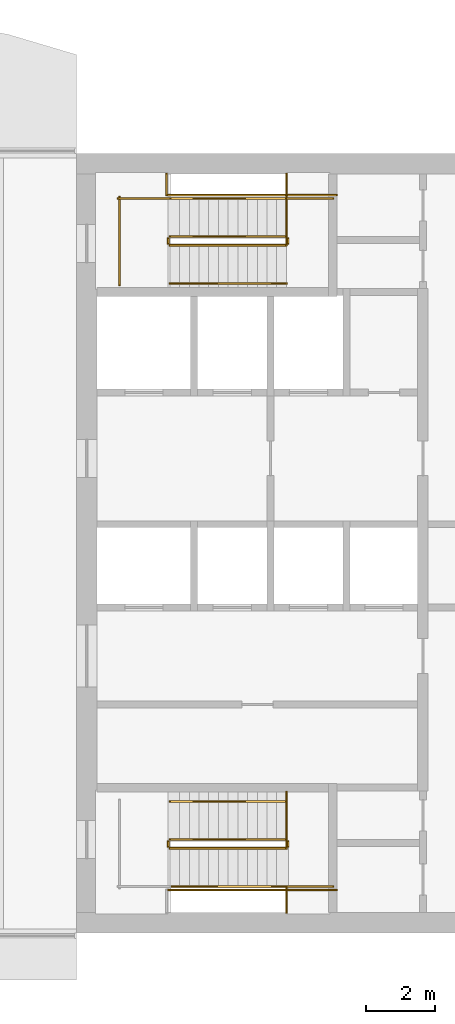
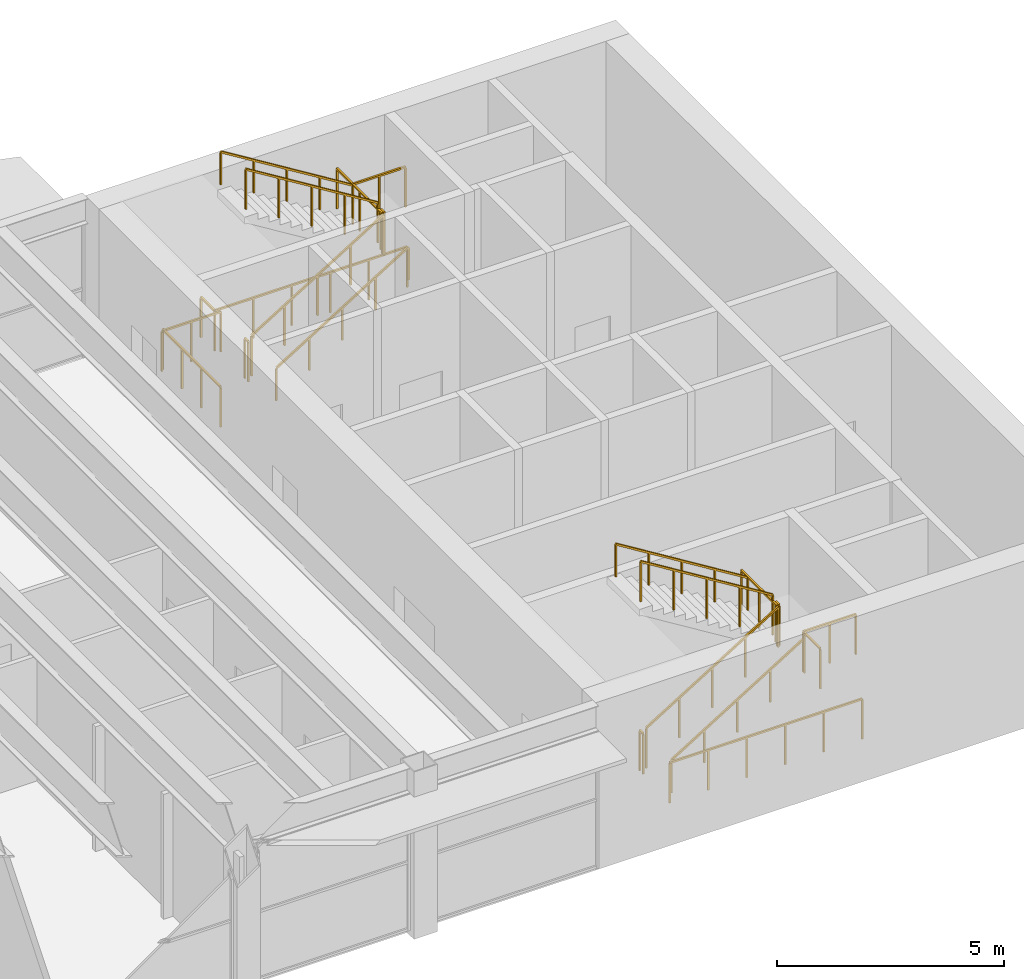
# One storey, part 14 of 14: 22 railings.
"""IFC4 building model written with IfcOpenShell, lengths in metres."""

from ifc_helpers import new_model, si_unit, direction, frame, origin, origin_2d, place, context, subcontext, project, spatial, rectangle, extrude, material, type_object, element, save


model = new_model("IFC4")

# Units and contexts
model_context = context("Model", 3, precision=1e-05, world=origin(), true_north=direction((0.0, 1.0)))
body_context = subcontext(model_context, "Body", "Model", "MODEL_VIEW")
ifc_project = project(units=[si_unit("LENGTHUNIT", "METRE"), si_unit("AREAUNIT", "SQUARE_METRE"), si_unit("VOLUMEUNIT", "CUBIC_METRE"), si_unit("PLANEANGLEUNIT", "RADIAN"), si_unit("MASSUNIT", "GRAM", prefix="KILO")], contexts=[model_context])

# Site, building, storey
site_placement = place(None, origin())
site = spatial("IfcSite", under=ifc_project, at=site_placement, CompositionType="ELEMENT")
building_placement = place(site_placement, origin())
building = spatial("IfcBuilding", under=site, at=building_placement, Name="Sennacour Bend Tower", CompositionType="ELEMENT")
storey_placement = place(building_placement, frame((0.0, 0.0, 327.5)))
storey = spatial("IfcBuildingStorey", under=building, at=storey_placement, Name="L75", CompositionType="ELEMENT", Elevation=327.5)

# Railings
ifc_material = material(Name="Stainless steel", Category="steel")
railing_type_1 = type_object("IfcRailingType", Name="RL-GUARD-1100", PredefinedType="GUARDRAIL", material=ifc_material)
railing_1_placement = place(storey_placement, frame((56.699951171875, 2.449951171875, 0.173095703125)))
element("IfcRailing", 1, at=railing_1_placement, inside=storey, type_object=railing_type_1, Name="L75 SA1 stair guard 1", PredefinedType="GUARDRAIL", context=body_context, shape_type="SweptSolid", body=[
    extrude(rectangle(XDim=0.048095703125, YDim=0.048095703125, at=origin_2d()), frame((0.0, 0.0, 1.076171875), z_axis=(0.850623216509, 0.0, 0.525775754039), x_axis=(0.0, 1.0, 0.0)), (0.0, 0.0, 1.0), 3.9501953125),
    extrude(rectangle(XDim=0.0419921875, YDim=0.0419921875, at=origin_2d()), origin(), (0.0, 0.0, 1.0), 1.052001953125),
    extrude(rectangle(XDim=0.0419921875, YDim=0.0419921875, at=origin_2d()), frame((0.840087890625, 0.0, 0.519287109375)), (0.0, 0.0, 1.0), 1.052001953125),
    extrude(rectangle(XDim=0.0419921875, YDim=0.0419921875, at=origin_2d()), frame((1.68017578125, 0.0, 1.03857421875)), (0.0, 0.0, 1.0), 1.052001953125),
    extrude(rectangle(XDim=0.0419921875, YDim=0.0419921875, at=origin_2d()), frame((2.52001953125, 0.0, 1.5576171875)), (0.0, 0.0, 1.0), 1.052001953125),
    extrude(rectangle(XDim=0.0419921875, YDim=0.0419921875, at=origin_2d()), frame((3.360107421875, 0.0, 2.076904296875)), (0.0, 0.0, 1.0), 1.052001953125),
])
railing_2_placement = place(storey_placement, frame((60.110107421875, 2.5, 2.25)))
element("IfcRailing", 2, at=railing_2_placement, inside=storey, type_object=railing_type_1, Name="L75 SA1 stair guard 2", PredefinedType="GUARDRAIL", context=body_context, shape_type="SweptSolid", body=[
    extrude(rectangle(XDim=0.048095703125, YDim=0.048095703125, at=origin_2d()), frame((0.0, 0.0, 1.076171875), z_axis=(0.0, 1.0, 0.0), x_axis=(-1.0, 0.0, 0.0)), (0.0, 0.0, 1.0), 0.14990234375),
    extrude(rectangle(XDim=0.0419921875, YDim=0.0419921875, at=origin_2d()), origin(), (0.0, 0.0, 1.0), 1.052001953125),
    extrude(rectangle(XDim=0.0419921875, YDim=0.0419921875, at=origin_2d()), frame((0.0, 0.14990234375, 0.0)), (0.0, 0.0, 1.0), 1.052001953125),
])
railing_3_placement = place(storey_placement, frame((60.06005859375, 1.35009765625, 2.25)))
element("IfcRailing", 3, at=railing_3_placement, inside=storey, type_object=railing_type_1, Name="L75 SA1 stair guard 3", PredefinedType="GUARDRAIL", context=body_context, shape_type="SweptSolid", body=[
    extrude(rectangle(XDim=0.048095703125, YDim=0.048095703125, at=origin_2d()), frame((0.0, 0.0, 1.076171875), z_axis=(1.0, 0.0, 0.0), x_axis=(0.0, 1.0, 0.0)), (0.0, 0.0, 1.0), 1.33984375),
    extrude(rectangle(XDim=0.0419921875, YDim=0.0419921875, at=origin_2d()), origin(), (0.0, 0.0, 1.0), 1.052001953125),
    extrude(rectangle(XDim=0.0419921875, YDim=0.0419921875, at=origin_2d()), frame((0.669921875, 0.0, 0.0)), (0.0, 0.0, 1.0), 1.052001953125),
    extrude(rectangle(XDim=0.0419921875, YDim=0.0419921875, at=origin_2d()), frame((1.33984375, 0.0, 0.0)), (0.0, 0.0, 1.0), 1.052001953125),
])
railing_4_placement = place(storey_placement, frame((60.06005859375, 2.699951171875, 2.423095703125)))
element("IfcRailing", 4, at=railing_4_placement, inside=storey, type_object=railing_type_1, Name="L75 SA1 stair guard 4", PredefinedType="GUARDRAIL", context=body_context, shape_type="SweptSolid", body=[
    extrude(rectangle(XDim=0.048095703125, YDim=0.048095703125, at=origin_2d()), frame((0.0, 0.0, 1.076171875), z_axis=(-0.850623216509, 0.0, 0.525775754039), x_axis=(0.0, -1.0, 0.0)), (0.0, 0.0, 1.0), 3.9501953125),
    extrude(rectangle(XDim=0.0419921875, YDim=0.0419921875, at=origin_2d()), origin(), (0.0, 0.0, 1.0), 1.052001953125),
    extrude(rectangle(XDim=0.0419921875, YDim=0.0419921875, at=origin_2d()), frame((-0.840087890625, 0.0, 0.519287109375)), (0.0, 0.0, 1.0), 1.052001953125),
    extrude(rectangle(XDim=0.0419921875, YDim=0.0419921875, at=origin_2d()), frame((-1.68017578125, 0.0, 1.03857421875)), (0.0, 0.0, 1.0), 1.052001953125),
    extrude(rectangle(XDim=0.0419921875, YDim=0.0419921875, at=origin_2d()), frame((-2.52001953125, 0.0, 1.5576171875)), (0.0, 0.0, 1.0), 1.052001953125),
    extrude(rectangle(XDim=0.0419921875, YDim=0.0419921875, at=origin_2d()), frame((-3.360107421875, 0.0, 2.076904296875)), (0.0, 0.0, 1.0), 1.052001953125),
])
railing_5_placement = place(storey_placement, frame((56.64990234375, 2.5, 0.0)))
element("IfcRailing", 5, at=railing_5_placement, inside=storey, type_object=railing_type_1, Name="L75 SA1 stair guard 5", PredefinedType="GUARDRAIL", context=body_context, shape_type="SweptSolid", body=[
    extrude(rectangle(XDim=0.048095703125, YDim=0.048095703125, at=origin_2d()), frame((0.0, 0.0, 1.076171875), z_axis=(0.0, 1.0, 0.0), x_axis=(-1.0, 0.0, 0.0)), (0.0, 0.0, 1.0), 0.14990234375),
    extrude(rectangle(XDim=0.0419921875, YDim=0.0419921875, at=origin_2d()), origin(), (0.0, 0.0, 1.0), 1.052001953125),
    extrude(rectangle(XDim=0.0419921875, YDim=0.0419921875, at=origin_2d()), frame((0.0, 0.14990234375, 0.0)), (0.0, 0.0, 1.0), 1.052001953125),
])
railing_6_placement = place(storey_placement, frame((56.60009765625, 1.25, 0.0)))
element("IfcRailing", 6, at=railing_6_placement, inside=storey, type_object=railing_type_1, Name="L75 SA1 stair guard 8", PredefinedType="GUARDRAIL", context=body_context, shape_type="SweptSolid", body=[
    extrude(rectangle(XDim=0.048095703125, YDim=0.048095703125, at=origin_2d()), frame((0.0, 0.0, 1.076171875), z_axis=(1.0, 0.0, 0.0), x_axis=(0.0, 1.0, 0.0)), (0.0, 0.0, 1.0), 4.89990234375),
    extrude(rectangle(XDim=0.0419921875, YDim=0.0419921875, at=origin_2d()), origin(), (0.0, 0.0, 1.0), 1.052001953125),
    extrude(rectangle(XDim=0.0419921875, YDim=0.0419921875, at=origin_2d()), frame((0.97998046875, 0.0, 0.0)), (0.0, 0.0, 1.0), 1.052001953125),
    extrude(rectangle(XDim=0.0419921875, YDim=0.0419921875, at=origin_2d()), frame((1.9599609375, 0.0, 0.0)), (0.0, 0.0, 1.0), 1.052001953125),
    extrude(rectangle(XDim=0.0419921875, YDim=0.0419921875, at=origin_2d()), frame((2.93994140625, 0.0, 0.0)), (0.0, 0.0, 1.0), 1.052001953125),
    extrude(rectangle(XDim=0.0419921875, YDim=0.0419921875, at=origin_2d()), frame((3.919921875, 0.0, 0.0)), (0.0, 0.0, 1.0), 1.052001953125),
    extrude(rectangle(XDim=0.0419921875, YDim=0.0419921875, at=origin_2d()), frame((4.89990234375, 0.0, 0.0)), (0.0, 0.0, 1.0), 1.052001953125),
])
railing_7_placement = place(storey_placement, frame((60.06005859375, 0.60009765625, 2.25)))
element("IfcRailing", 7, at=railing_7_placement, inside=storey, type_object=railing_type_1, Name="L75 SA1 landing edge guard 123", PredefinedType="GUARDRAIL", context=body_context, shape_type="SweptSolid", body=[
    extrude(rectangle(XDim=0.048095703125, YDim=0.048095703125, at=origin_2d()), frame((0.0, 0.0, 1.076171875), z_axis=(0.0, 1.0, 0.0), x_axis=(-1.0, 0.0, 0.0)), (0.0, 0.0, 1.0), 0.699951171875),
    extrude(rectangle(XDim=0.0419921875, YDim=0.0419921875, at=origin_2d()), origin(), (0.0, 0.0, 1.0), 1.052001953125),
    extrude(rectangle(XDim=0.0419921875, YDim=0.0419921875, at=origin_2d()), frame((0.0, 0.699951171875, 0.0)), (0.0, 0.0, 1.0), 1.052001953125),
])
railing_8_placement = place(storey_placement, frame((60.06005859375, 2.5, 2.25)))
element("IfcRailing", 8, at=railing_8_placement, inside=storey, type_object=railing_type_1, Name="L75 SA1 landing edge guard 124", PredefinedType="GUARDRAIL", context=body_context, shape_type="SweptSolid", body=[
    extrude(rectangle(XDim=0.048095703125, YDim=0.048095703125, at=origin_2d()), frame((0.0, 0.0, 1.076171875), z_axis=(0.0, 1.0, 0.0), x_axis=(-1.0, 0.0, 0.0)), (0.0, 0.0, 1.0), 1.574951171875),
    extrude(rectangle(XDim=0.0419921875, YDim=0.0419921875, at=origin_2d()), origin(), (0.0, 0.0, 1.0), 1.052001953125),
    extrude(rectangle(XDim=0.0419921875, YDim=0.0419921875, at=origin_2d()), frame((0.0, 0.78759765625, 0.0)), (0.0, 0.0, 1.0), 1.052001953125),
    extrude(rectangle(XDim=0.0419921875, YDim=0.0419921875, at=origin_2d()), frame((0.0, 1.574951171875, 0.0)), (0.0, 0.0, 1.0), 1.052001953125),
])
railing_9_placement = place(storey_placement, frame((56.699951171875, 19.85009765625, 0.173095703125)))
element("IfcRailing", 9, at=railing_9_placement, inside=storey, type_object=railing_type_1, Name="L75 SA2 stair guard 1", PredefinedType="GUARDRAIL", context=body_context, shape_type="SweptSolid", body=[
    extrude(rectangle(XDim=0.048095703125, YDim=0.048095703125, at=origin_2d()), frame((0.0, 0.0, 1.076171875), z_axis=(0.850623216509, 0.0, 0.525775754039), x_axis=(0.0, 1.0, 0.0)), (0.0, 0.0, 1.0), 3.9501953125),
    extrude(rectangle(XDim=0.0419921875, YDim=0.0419921875, at=origin_2d()), origin(), (0.0, 0.0, 1.0), 1.052001953125),
    extrude(rectangle(XDim=0.0419921875, YDim=0.0419921875, at=origin_2d()), frame((0.840087890625, 0.0, 0.519287109375)), (0.0, 0.0, 1.0), 1.052001953125),
    extrude(rectangle(XDim=0.0419921875, YDim=0.0419921875, at=origin_2d()), frame((1.68017578125, 0.0, 1.03857421875)), (0.0, 0.0, 1.0), 1.052001953125),
    extrude(rectangle(XDim=0.0419921875, YDim=0.0419921875, at=origin_2d()), frame((2.52001953125, 0.0, 1.5576171875)), (0.0, 0.0, 1.0), 1.052001953125),
    extrude(rectangle(XDim=0.0419921875, YDim=0.0419921875, at=origin_2d()), frame((3.360107421875, 0.0, 2.076904296875)), (0.0, 0.0, 1.0), 1.052001953125),
])
railing_10_placement = place(storey_placement, frame((60.110107421875, 19.89990234375, 2.25)))
element("IfcRailing", 10, at=railing_10_placement, inside=storey, type_object=railing_type_1, Name="L75 SA2 stair guard 2", PredefinedType="GUARDRAIL", context=body_context, shape_type="SweptSolid", body=[
    extrude(rectangle(XDim=0.048095703125, YDim=0.048095703125, at=origin_2d()), frame((0.0, 0.0, 1.076171875), z_axis=(0.0, 1.0, 0.0), x_axis=(-1.0, 0.0, 0.0)), (0.0, 0.0, 1.0), 0.150146484375),
    extrude(rectangle(XDim=0.0419921875, YDim=0.0419921875, at=origin_2d()), origin(), (0.0, 0.0, 1.0), 1.052001953125),
    extrude(rectangle(XDim=0.0419921875, YDim=0.0419921875, at=origin_2d()), frame((0.0, 0.150146484375, 0.0)), (0.0, 0.0, 1.0), 1.052001953125),
])
railing_11_placement = place(storey_placement, frame((60.06005859375, 21.199951171875, 2.25)))
element("IfcRailing", 11, at=railing_11_placement, inside=storey, type_object=railing_type_1, Name="L75 SA2 stair guard 3", PredefinedType="GUARDRAIL", context=body_context, shape_type="SweptSolid", body=[
    extrude(rectangle(XDim=0.048095703125, YDim=0.048095703125, at=origin_2d()), frame((0.0, 0.0, 1.076171875), z_axis=(1.0, 0.0, 0.0), x_axis=(0.0, 1.0, 0.0)), (0.0, 0.0, 1.0), 1.33984375),
    extrude(rectangle(XDim=0.0419921875, YDim=0.0419921875, at=origin_2d()), origin(), (0.0, 0.0, 1.0), 1.052001953125),
    extrude(rectangle(XDim=0.0419921875, YDim=0.0419921875, at=origin_2d()), frame((0.669921875, 0.0, 0.0)), (0.0, 0.0, 1.0), 1.052001953125),
    extrude(rectangle(XDim=0.0419921875, YDim=0.0419921875, at=origin_2d()), frame((1.33984375, 0.0, 0.0)), (0.0, 0.0, 1.0), 1.052001953125),
])
railing_12_placement = place(storey_placement, frame((60.06005859375, 20.10009765625, 2.423095703125)))
element("IfcRailing", 12, at=railing_12_placement, inside=storey, type_object=railing_type_1, Name="L75 SA2 stair guard 4", PredefinedType="GUARDRAIL", context=body_context, shape_type="SweptSolid", body=[
    extrude(rectangle(XDim=0.048095703125, YDim=0.048095703125, at=origin_2d()), frame((0.0, 0.0, 1.076171875), z_axis=(-0.850623216509, 0.0, 0.525775754039), x_axis=(0.0, -1.0, 0.0)), (0.0, 0.0, 1.0), 3.9501953125),
    extrude(rectangle(XDim=0.0419921875, YDim=0.0419921875, at=origin_2d()), origin(), (0.0, 0.0, 1.0), 1.052001953125),
    extrude(rectangle(XDim=0.0419921875, YDim=0.0419921875, at=origin_2d()), frame((-0.840087890625, 0.0, 0.519287109375)), (0.0, 0.0, 1.0), 1.052001953125),
    extrude(rectangle(XDim=0.0419921875, YDim=0.0419921875, at=origin_2d()), frame((-1.68017578125, 0.0, 1.03857421875)), (0.0, 0.0, 1.0), 1.052001953125),
    extrude(rectangle(XDim=0.0419921875, YDim=0.0419921875, at=origin_2d()), frame((-2.52001953125, 0.0, 1.5576171875)), (0.0, 0.0, 1.0), 1.052001953125),
    extrude(rectangle(XDim=0.0419921875, YDim=0.0419921875, at=origin_2d()), frame((-3.360107421875, 0.0, 2.076904296875)), (0.0, 0.0, 1.0), 1.052001953125),
])
railing_13_placement = place(storey_placement, frame((56.64990234375, 19.89990234375, 0.0)))
element("IfcRailing", 13, at=railing_13_placement, inside=storey, type_object=railing_type_1, Name="L75 SA2 stair guard 5", PredefinedType="GUARDRAIL", context=body_context, shape_type="SweptSolid", body=[
    extrude(rectangle(XDim=0.048095703125, YDim=0.048095703125, at=origin_2d()), frame((0.0, 0.0, 1.076171875), z_axis=(0.0, 1.0, 0.0), x_axis=(-1.0, 0.0, 0.0)), (0.0, 0.0, 1.0), 0.150146484375),
    extrude(rectangle(XDim=0.0419921875, YDim=0.0419921875, at=origin_2d()), origin(), (0.0, 0.0, 1.0), 1.052001953125),
    extrude(rectangle(XDim=0.0419921875, YDim=0.0419921875, at=origin_2d()), frame((0.0, 0.150146484375, 0.0)), (0.0, 0.0, 1.0), 1.052001953125),
])
railing_14_placement = place(storey_placement, frame((55.199951171875, 21.199951171875, 0.0)))
element("IfcRailing", 14, at=railing_14_placement, inside=storey, type_object=railing_type_1, Name="L75 SA2 stair guard 6", PredefinedType="GUARDRAIL", context=body_context, shape_type="SweptSolid", body=[
    extrude(rectangle(XDim=0.048095703125, YDim=0.048095703125, at=origin_2d()), frame((0.0, 0.0, 1.076171875), z_axis=(1.0, 0.0, 0.0), x_axis=(0.0, 1.0, 0.0)), (0.0, 0.0, 1.0), 1.5),
    extrude(rectangle(XDim=0.0419921875, YDim=0.0419921875, at=origin_2d()), origin(), (0.0, 0.0, 1.0), 1.052001953125),
    extrude(rectangle(XDim=0.0419921875, YDim=0.0419921875, at=origin_2d()), frame((0.75, 0.0, 0.0)), (0.0, 0.0, 1.0), 1.052001953125),
    extrude(rectangle(XDim=0.0419921875, YDim=0.0419921875, at=origin_2d()), frame((1.5, 0.0, 0.0)), (0.0, 0.0, 1.0), 1.052001953125),
])
railing_15_placement = place(storey_placement, frame((55.25, 18.699951171875, 0.0)))
element("IfcRailing", 15, at=railing_15_placement, inside=storey, type_object=railing_type_1, Name="L75 SA2 stair guard 7", PredefinedType="GUARDRAIL", context=body_context, shape_type="SweptSolid", body=[
    extrude(rectangle(XDim=0.048095703125, YDim=0.048095703125, at=origin_2d()), frame((0.0, 0.0, 1.076171875), z_axis=(0.0, 1.0, 0.0), x_axis=(-1.0, 0.0, 0.0)), (0.0, 0.0, 1.0), 2.550048828125),
    extrude(rectangle(XDim=0.0419921875, YDim=0.0419921875, at=origin_2d()), origin(), (0.0, 0.0, 1.0), 1.052001953125),
    extrude(rectangle(XDim=0.0419921875, YDim=0.0419921875, at=origin_2d()), frame((0.0, 0.85009765625, 0.0)), (0.0, 0.0, 1.0), 1.052001953125),
    extrude(rectangle(XDim=0.0419921875, YDim=0.0419921875, at=origin_2d()), frame((0.0, 1.699951171875, 0.0)), (0.0, 0.0, 1.0), 1.052001953125),
    extrude(rectangle(XDim=0.0419921875, YDim=0.0419921875, at=origin_2d()), frame((0.0, 2.550048828125, 0.0)), (0.0, 0.0, 1.0), 1.052001953125),
])
railing_16_placement = place(storey_placement, frame((56.60009765625, 21.300048828125, 0.0)))
element("IfcRailing", 16, at=railing_16_placement, inside=storey, type_object=railing_type_1, Name="L75 SA2 stair guard 8", PredefinedType="GUARDRAIL", context=body_context, shape_type="SweptSolid", body=[
    extrude(rectangle(XDim=0.048095703125, YDim=0.048095703125, at=origin_2d()), frame((0.0, 0.0, 1.076171875), z_axis=(1.0, 0.0, 0.0), x_axis=(0.0, 1.0, 0.0)), (0.0, 0.0, 1.0), 4.89990234375),
    extrude(rectangle(XDim=0.0419921875, YDim=0.0419921875, at=origin_2d()), origin(), (0.0, 0.0, 1.0), 1.052001953125),
    extrude(rectangle(XDim=0.0419921875, YDim=0.0419921875, at=origin_2d()), frame((0.97998046875, 0.0, 0.0)), (0.0, 0.0, 1.0), 1.052001953125),
    extrude(rectangle(XDim=0.0419921875, YDim=0.0419921875, at=origin_2d()), frame((1.9599609375, 0.0, 0.0)), (0.0, 0.0, 1.0), 1.052001953125),
    extrude(rectangle(XDim=0.0419921875, YDim=0.0419921875, at=origin_2d()), frame((2.93994140625, 0.0, 0.0)), (0.0, 0.0, 1.0), 1.052001953125),
    extrude(rectangle(XDim=0.0419921875, YDim=0.0419921875, at=origin_2d()), frame((3.919921875, 0.0, 0.0)), (0.0, 0.0, 1.0), 1.052001953125),
    extrude(rectangle(XDim=0.0419921875, YDim=0.0419921875, at=origin_2d()), frame((4.89990234375, 0.0, 0.0)), (0.0, 0.0, 1.0), 1.052001953125),
])
railing_17_placement = place(storey_placement, frame((60.06005859375, 19.89990234375, 2.25)))
element("IfcRailing", 17, at=railing_17_placement, inside=storey, type_object=railing_type_1, Name="L75 SA2 landing edge guard 98", PredefinedType="GUARDRAIL", context=body_context, shape_type="SweptSolid", body=[
    extrude(rectangle(XDim=0.048095703125, YDim=0.048095703125, at=origin_2d()), frame((0.0, 0.0, 1.076171875), z_axis=(0.0, 1.0, 0.0), x_axis=(-1.0, 0.0, 0.0)), (0.0, 0.0, 1.0), 2.0),
    extrude(rectangle(XDim=0.0419921875, YDim=0.0419921875, at=origin_2d()), origin(), (0.0, 0.0, 1.0), 1.052001953125),
    extrude(rectangle(XDim=0.0419921875, YDim=0.0419921875, at=origin_2d()), frame((0.0, 1.0, 0.0)), (0.0, 0.0, 1.0), 1.052001953125),
    extrude(rectangle(XDim=0.0419921875, YDim=0.0419921875, at=origin_2d()), frame((0.0, 2.0, 0.0)), (0.0, 0.0, 1.0), 1.052001953125),
])
railing_18_placement = place(storey_placement, frame((56.60009765625, 21.300048828125, 0.0)))
element("IfcRailing", 18, at=railing_18_placement, inside=storey, type_object=railing_type_1, Name="L75 SA2 landing edge guard 129", PredefinedType="GUARDRAIL", context=body_context, shape_type="SweptSolid", body=[
    extrude(rectangle(XDim=0.048095703125, YDim=0.048095703125, at=origin_2d()), frame((0.0, 0.0, 1.076171875), z_axis=(0.0, 1.0, 0.0), x_axis=(-1.0, 0.0, 0.0)), (0.0, 0.0, 1.0), 0.599853515625),
    extrude(rectangle(XDim=0.0419921875, YDim=0.0419921875, at=origin_2d()), origin(), (0.0, 0.0, 1.0), 1.052001953125),
    extrude(rectangle(XDim=0.0419921875, YDim=0.0419921875, at=origin_2d()), frame((0.0, 0.599853515625, 0.0)), (0.0, 0.0, 1.0), 1.052001953125),
])
railing_type_2 = type_object("IfcRailingType", Name="RL-HANDRAIL-900", PredefinedType="HANDRAIL", material=ifc_material)
railing_19_placement = place(storey_placement, frame((56.699951171875, 1.35009765625, 0.173095703125)))
element("IfcRailing", 19, at=railing_19_placement, inside=storey, type_object=railing_type_2, Name="L75 SA1 stair handrail 1", PredefinedType="HANDRAIL", context=body_context, shape_type="SweptSolid", body=[
    extrude(rectangle(XDim=0.048095703125, YDim=0.048095703125, at=origin_2d()), frame((0.0, 0.0, 0.8759765625), z_axis=(0.850623216509, 0.0, 0.525775754039), x_axis=(0.0, 1.0, 0.0)), (0.0, 0.0, 1.0), 3.9501953125),
    extrude(rectangle(XDim=0.0419921875, YDim=0.0419921875, at=origin_2d()), origin(), (0.0, 0.0, 1.0), 0.851806640625),
    extrude(rectangle(XDim=0.0419921875, YDim=0.0419921875, at=origin_2d()), frame((0.840087890625, 0.0, 0.519287109375)), (0.0, 0.0, 1.0), 0.851806640625),
    extrude(rectangle(XDim=0.0419921875, YDim=0.0419921875, at=origin_2d()), frame((1.68017578125, 0.0, 1.03857421875)), (0.0, 0.0, 1.0), 0.851806640625),
    extrude(rectangle(XDim=0.0419921875, YDim=0.0419921875, at=origin_2d()), frame((2.52001953125, 0.0, 1.5576171875)), (0.0, 0.0, 1.0), 0.851806640625),
    extrude(rectangle(XDim=0.0419921875, YDim=0.0419921875, at=origin_2d()), frame((3.360107421875, 0.0, 2.076904296875)), (0.0, 0.0, 1.0), 0.851806640625),
])
railing_20_placement = place(storey_placement, frame((60.06005859375, 3.800048828125, 2.423095703125)))
element("IfcRailing", 20, at=railing_20_placement, inside=storey, type_object=railing_type_2, Name="L75 SA1 stair handrail 2", PredefinedType="HANDRAIL", context=body_context, shape_type="SweptSolid", body=[
    extrude(rectangle(XDim=0.048095703125, YDim=0.048095703125, at=origin_2d()), frame((0.0, 0.0, 0.8759765625), z_axis=(-0.850623216509, 0.0, 0.525775754039), x_axis=(0.0, -1.0, 0.0)), (0.0, 0.0, 1.0), 3.9501953125),
    extrude(rectangle(XDim=0.0419921875, YDim=0.0419921875, at=origin_2d()), origin(), (0.0, 0.0, 1.0), 0.851806640625),
    extrude(rectangle(XDim=0.0419921875, YDim=0.0419921875, at=origin_2d()), frame((-0.840087890625, 0.0, 0.519287109375)), (0.0, 0.0, 1.0), 0.851806640625),
    extrude(rectangle(XDim=0.0419921875, YDim=0.0419921875, at=origin_2d()), frame((-1.68017578125, 0.0, 1.03857421875)), (0.0, 0.0, 1.0), 0.851806640625),
    extrude(rectangle(XDim=0.0419921875, YDim=0.0419921875, at=origin_2d()), frame((-2.52001953125, 0.0, 1.5576171875)), (0.0, 0.0, 1.0), 0.851806640625),
    extrude(rectangle(XDim=0.0419921875, YDim=0.0419921875, at=origin_2d()), frame((-3.360107421875, 0.0, 2.076904296875)), (0.0, 0.0, 1.0), 0.851806640625),
])
railing_21_placement = place(storey_placement, frame((56.699951171875, 18.75, 0.173095703125)))
element("IfcRailing", 21, at=railing_21_placement, inside=storey, type_object=railing_type_2, Name="L75 SA2 stair handrail 1", PredefinedType="HANDRAIL", context=body_context, shape_type="SweptSolid", body=[
    extrude(rectangle(XDim=0.048095703125, YDim=0.048095703125, at=origin_2d()), frame((0.0, 0.0, 0.8759765625), z_axis=(0.850623216509, 0.0, 0.525775754039), x_axis=(0.0, 1.0, 0.0)), (0.0, 0.0, 1.0), 3.9501953125),
    extrude(rectangle(XDim=0.0419921875, YDim=0.0419921875, at=origin_2d()), origin(), (0.0, 0.0, 1.0), 0.851806640625),
    extrude(rectangle(XDim=0.0419921875, YDim=0.0419921875, at=origin_2d()), frame((0.840087890625, 0.0, 0.519287109375)), (0.0, 0.0, 1.0), 0.851806640625),
    extrude(rectangle(XDim=0.0419921875, YDim=0.0419921875, at=origin_2d()), frame((1.68017578125, 0.0, 1.03857421875)), (0.0, 0.0, 1.0), 0.851806640625),
    extrude(rectangle(XDim=0.0419921875, YDim=0.0419921875, at=origin_2d()), frame((2.52001953125, 0.0, 1.5576171875)), (0.0, 0.0, 1.0), 0.851806640625),
    extrude(rectangle(XDim=0.0419921875, YDim=0.0419921875, at=origin_2d()), frame((3.360107421875, 0.0, 2.076904296875)), (0.0, 0.0, 1.0), 0.851806640625),
])
railing_22_placement = place(storey_placement, frame((60.06005859375, 21.199951171875, 2.423095703125)))
element("IfcRailing", 22, at=railing_22_placement, inside=storey, type_object=railing_type_2, Name="L75 SA2 stair handrail 2", PredefinedType="HANDRAIL", context=body_context, shape_type="SweptSolid", body=[
    extrude(rectangle(XDim=0.048095703125, YDim=0.048095703125, at=origin_2d()), frame((0.0, 0.0, 0.8759765625), z_axis=(-0.850623216509, 0.0, 0.525775754039), x_axis=(0.0, -1.0, 0.0)), (0.0, 0.0, 1.0), 3.9501953125),
    extrude(rectangle(XDim=0.0419921875, YDim=0.0419921875, at=origin_2d()), origin(), (0.0, 0.0, 1.0), 0.851806640625),
    extrude(rectangle(XDim=0.0419921875, YDim=0.0419921875, at=origin_2d()), frame((-0.840087890625, 0.0, 0.519287109375)), (0.0, 0.0, 1.0), 0.851806640625),
    extrude(rectangle(XDim=0.0419921875, YDim=0.0419921875, at=origin_2d()), frame((-1.68017578125, 0.0, 1.03857421875)), (0.0, 0.0, 1.0), 0.851806640625),
    extrude(rectangle(XDim=0.0419921875, YDim=0.0419921875, at=origin_2d()), frame((-2.52001953125, 0.0, 1.5576171875)), (0.0, 0.0, 1.0), 0.851806640625),
    extrude(rectangle(XDim=0.0419921875, YDim=0.0419921875, at=origin_2d()), frame((-3.360107421875, 0.0, 2.076904296875)), (0.0, 0.0, 1.0), 0.851806640625),
])

save(model, "model.ifc")
